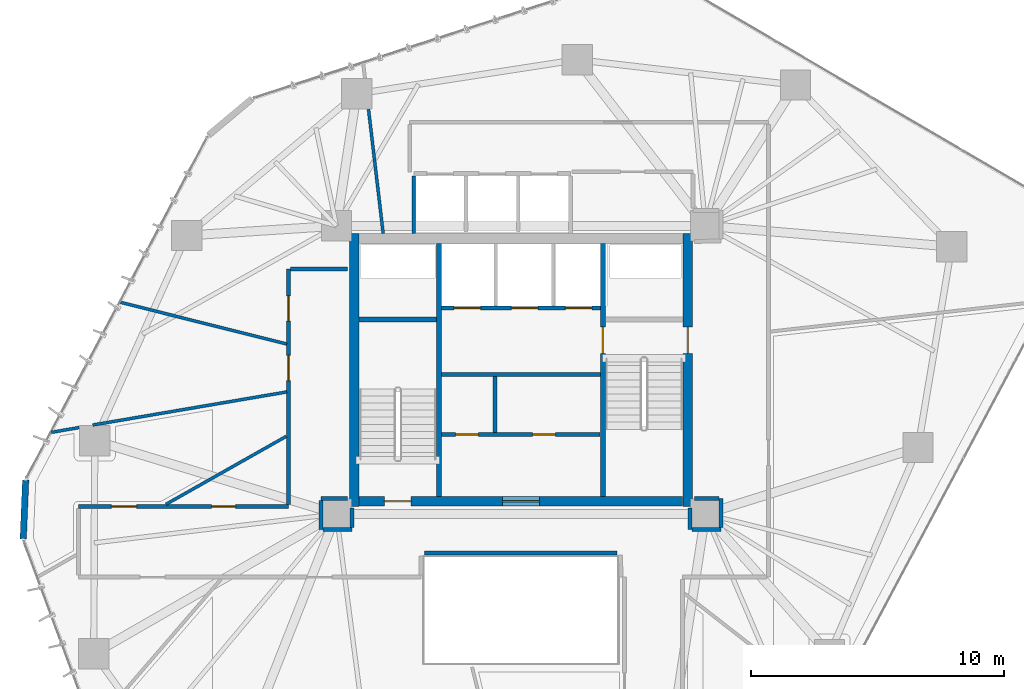
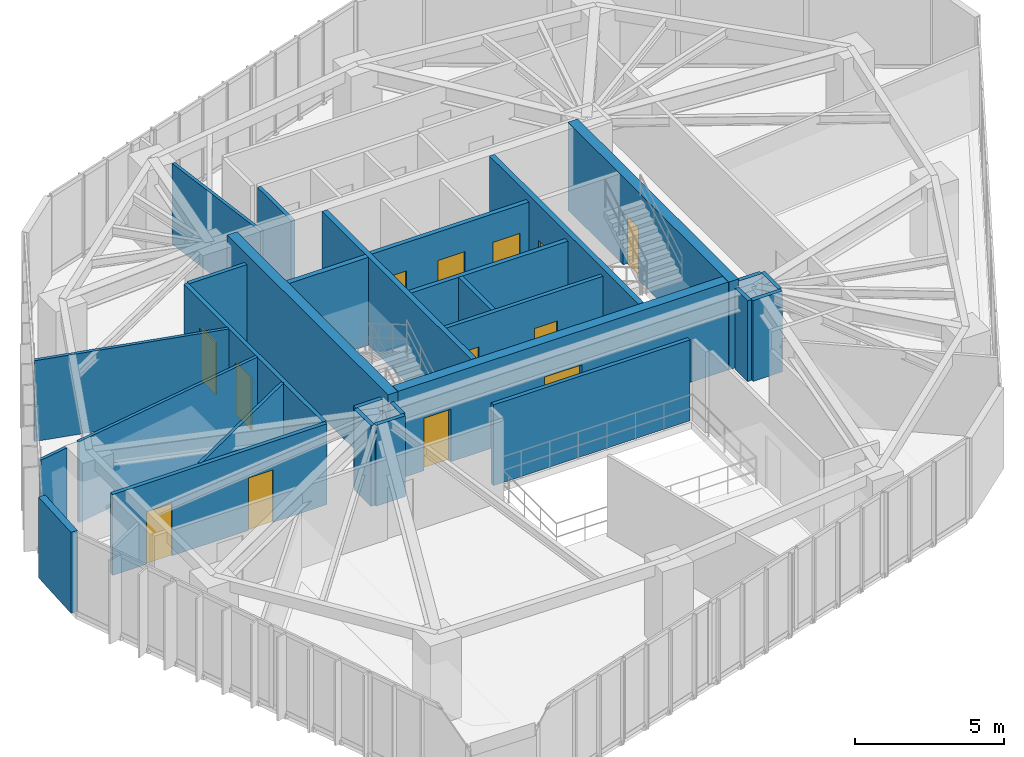
# One storey, part 16 of 21: 29 walls, 13 doors, 13 openings.
"""IFC4 building model written with IfcOpenShell, lengths in metres."""

from ifc_helpers import new_model, si_unit, direction, frame, frame_2d, origin, place, context, subcontext, project, spatial, rectangle, extrude, source, transform, mapped, material, layer, layer_set, type_object, type_shapes, element, fill, save


model = new_model("IFC4")

# Units and contexts
model_context = context("Model", 3, precision=1e-05, world=origin(), true_north=direction((0.0, 1.0)))
body_context = subcontext(model_context, "Body", "Model", "MODEL_VIEW")
ifc_project = project(units=[si_unit("LENGTHUNIT", "METRE"), si_unit("AREAUNIT", "SQUARE_METRE"), si_unit("VOLUMEUNIT", "CUBIC_METRE"), si_unit("PLANEANGLEUNIT", "RADIAN"), si_unit("MASSUNIT", "GRAM", prefix="KILO")], contexts=[model_context])

# Site, building, storey
site_placement = place(None, origin())
site = spatial("IfcSite", under=ifc_project, at=site_placement, CompositionType="ELEMENT")
building_placement = place(site_placement, origin())
building = spatial("IfcBuilding", under=site, at=building_placement, Name="Talar Marvaseh", CompositionType="ELEMENT")
storey_placement = place(building_placement, frame((0.0, 0.0, 143.39990234375)))
storey = spatial("IfcBuildingStorey", under=building, at=storey_placement, Name="L37", CompositionType="ELEMENT", Elevation=143.39990234375)

# Wall
ifc_material_1 = material(Name="Precast concrete C45/55", Category="concrete")
ifc_layer_1 = layer(ifc_material_1, 0.2548828125)
ifc_layer_set_1 = layer_set([ifc_layer_1], Name="Precast concrete C45/55")
wall_type_1 = type_object("IfcWallType", Name="Chamfered Hexagonal Corner Pier Wall Z2 255", PredefinedType="SOLIDWALL", material=ifc_layer_set_1)
wall_1_placement = place(storey_placement, frame((6.30859375, 24.509033203125, 0.0), z_axis=(0.0, 0.0, 1.0), x_axis=(0.041404963609, 0.999142446796, 0.0)))
element("IfcWall", 1, at=wall_1_placement, inside=storey, type_object=wall_type_1, Name="L37 Chamfered Corner Limestone Pier 2", PredefinedType="SOLIDWALL", context=body_context, shape_type="SweptSolid", body=[
    extrude(rectangle(XDim=2.3408203125, YDim=0.2548828125, at=frame_2d((1.17041015625, 0.0))), origin(), (0.0, 0.0, 1.0), 3.31005859375),
])

# Wall, openings, doors
ifc_material_2 = material(Name="Gypsum Board Partition Assembly")
ifc_layer_2 = layer(ifc_material_2, 0.155029296875)
ifc_layer_set_2 = layer_set([ifc_layer_2], Name="Gypsum Board Partition Assembly")
wall_type_2 = type_object("IfcWallType", Name="Corridor Fire-Rated Acoustic Partition 155", PredefinedType="PARTITIONING", material=ifc_layer_set_2)
wall_2_placement = place(storey_placement, frame((22.865966796875, 28.639892578125, 0.0), z_axis=(0.0, 0.0, 1.0), x_axis=(1.0, 0.0, 0.0)))
wall_2 = element("IfcWall", 2, at=wall_2_placement, inside=storey, type_object=wall_type_2, Name="L37 Core BOH Partition", PredefinedType="PARTITIONING", context=body_context, shape_type="SweptSolid", body=[
    extrude(rectangle(XDim=6.26806640625, YDim=0.155029296875, at=frame_2d((3.134033203125, 0.0))), origin(), (0.0, 0.0, 1.0), 3.31005859375),
])
opening_1_placement = place(wall_2_placement, frame((0.550048828125, 0.0, 0.0)))
opening_1 = element("IfcOpeningElement", 3, at=opening_1_placement, cuts=wall_2, Name="Opening DR-BOH090", PredefinedType="OPENING", context=body_context, shape_type="SweptSolid", body=[
    extrude(rectangle(XDim=0.89990234375, YDim=2.10009765625, at=frame_2d((0.449951171875, 1.050048828125))), frame((0.0, 0.08740234375, 0.0), z_axis=(0.0, -1.0, 0.0), x_axis=(1.0, 0.0, 0.0)), (0.0, 0.0, 1.0), 0.175048828125),
])
opening_2_placement = place(wall_2_placement, frame((3.60009765625, 0.0, 0.0)))
opening_2 = element("IfcOpeningElement", 4, at=opening_2_placement, cuts=wall_2, Name="Opening DR-BOH090", PredefinedType="OPENING", context=body_context, shape_type="SweptSolid", body=[
    extrude(rectangle(XDim=0.89990234375, YDim=2.10009765625, at=frame_2d((0.449951171875, 1.050048828125))), frame((0.0, 0.08740234375, 0.0), z_axis=(0.0, -1.0, 0.0), x_axis=(1.0, 0.0, 0.0)), (0.0, 0.0, 1.0), 0.175048828125),
])
ifc_material_3 = material(Name="Fire-Rated Steel Door Leaf", Category="steel")
door_type_1 = type_object("IfcDoorType", Name="Core Back-of-House Service Door 900x2100", OperationType="NOTDEFINED", PredefinedType="DOOR", material=ifc_material_3)
shared_shape_1 = source(origin(), body_context, "Body", "SweptSolid", [
    extrude(rectangle(XDim=0.89990234375, YDim=2.10009765625, at=frame_2d((0.449951171875, 1.050048828125))), frame((0.0, 0.02490234375, 0.0), z_axis=(0.0, -1.0, 0.0), x_axis=(1.0, 0.0, 0.0)), (0.0, 0.0, 1.0), 0.050048828125),
])
type_shapes(door_type_1, [shared_shape_1])
door_1_placement = place(opening_1_placement, origin())
door_1 = element("IfcDoor", 5, at=door_1_placement, inside=storey, type_object=door_type_1, Name="L37 Cleaner Janitor Store Door", OperationType="SINGLE_SWING_LEFT", OverallHeight=2.10009765625, OverallWidth=0.89990234375, PredefinedType="DOOR", context=body_context, shape_type="MappedRepresentation", body=[
    mapped(shared_shape_1, transform((0.0, 0.0, 0.0), x_axis=(1.0, 0.0, 0.0), y_axis=(0.0, 1.0, 0.0), z_axis=(0.0, 0.0, 1.0), scale=1.0)),
])
fill(opening_1, door_1)
door_2_placement = place(opening_2_placement, origin())
door_2 = element("IfcDoor", 6, at=door_2_placement, inside=storey, type_object=door_type_1, Name="L37 Plant Core Electrical Meter Room Door", OperationType="SINGLE_SWING_RIGHT", OverallHeight=2.10009765625, OverallWidth=0.89990234375, PredefinedType="DOOR", context=body_context, shape_type="MappedRepresentation", body=[
    mapped(shared_shape_1, transform((0.0, 0.0, 0.0), x_axis=(1.0, 0.0, 0.0), y_axis=(0.0, 1.0, 0.0), z_axis=(0.0, 0.0, 1.0), scale=1.0)),
])
fill(opening_2, door_2)

# Wall
wall_3_placement = place(storey_placement, frame((24.97998046875, 28.719970703125, 0.0), z_axis=(0.0, 0.0, 1.0), x_axis=(0.0, 1.0, 0.0)))
element("IfcWall", 7, at=wall_3_placement, inside=storey, type_object=wall_type_2, Name="L37 Core BOH Partition", PredefinedType="PARTITIONING", context=body_context, shape_type="SweptSolid", body=[
    extrude(rectangle(XDim=2.219970703125, YDim=0.155029296875, at=frame_2d((1.10986328125, 0.0))), origin(), (0.0, 0.0, 1.0), 3.31005859375),
])

# Wall, openings, doors
wall_4_placement = place(storey_placement, frame((8.5, 25.800048828125, 0.0), z_axis=(0.0, 0.0, 1.0), x_axis=(1.0, 0.0, 0.0)))
wall_4 = element("IfcWall", 8, at=wall_4_placement, inside=storey, type_object=wall_type_2, Name="L37 Interior Partition Wall", PredefinedType="PARTITIONING", context=body_context, shape_type="SweptSolid", body=[
    extrude(rectangle(XDim=8.300048828125, YDim=0.155029296875, at=frame_2d((4.14990234375, 0.0))), origin(), (0.0, 0.0, 1.0), 3.31005859375),
])
opening_3_placement = place(wall_4_placement, frame((1.2998046875, 0.0, 0.0)))
opening_3 = element("IfcOpeningElement", 9, at=opening_3_placement, cuts=wall_4, Name="Opening DR-RM100", PredefinedType="OPENING", context=body_context, shape_type="SweptSolid", body=[
    extrude(rectangle(XDim=1.0, YDim=2.14990234375, at=frame_2d((0.5, 1.074951171875))), frame((0.0, 0.08740234375, 0.0), z_axis=(0.0, -1.0, 0.0), x_axis=(1.0, 0.0, 0.0)), (0.0, 0.0, 1.0), 0.175048828125),
])
opening_4_placement = place(wall_4_placement, frame((5.262451171875, 0.0, 0.0)))
opening_4 = element("IfcOpeningElement", 10, at=opening_4_placement, cuts=wall_4, Name="Opening DR-WC095", PredefinedType="OPENING", context=body_context, shape_type="SweptSolid", body=[
    extrude(rectangle(XDim=0.949951171875, YDim=2.14990234375, at=frame_2d((0.47509765625, 1.074951171875))), frame((0.0, 0.08740234375, 0.0), z_axis=(0.0, -1.0, 0.0), x_axis=(1.0, 0.0, 0.0)), (0.0, 0.0, 1.0), 0.175048828125),
])
ifc_material_4 = material(Name="Acoustic Engineered Oak Timber", Category="wood")
door_type_2 = type_object("IfcDoorType", Name="Washroom and Service Room Door 950x2150", OperationType="NOTDEFINED", PredefinedType="DOOR", material=ifc_material_4)
shared_shape_2 = source(origin(), body_context, "Body", "SweptSolid", [
    extrude(rectangle(XDim=0.949951171875, YDim=2.14990234375, at=frame_2d((0.47509765625, 1.074951171875))), frame((0.0, 0.02490234375, 0.0), z_axis=(0.0, -1.0, 0.0), x_axis=(1.0, 0.0, 0.0)), (0.0, 0.0, 1.0), 0.050048828125),
])
type_shapes(door_type_2, [shared_shape_2])
door_3_placement = place(opening_4_placement, origin())
door_3 = element("IfcDoor", 11, at=door_3_placement, inside=storey, type_object=door_type_2, Name="L37 WC Public Washrooms Door", OperationType="SINGLE_SWING_LEFT", OverallHeight=2.14990234375, OverallWidth=0.949951171875, PredefinedType="DOOR", context=body_context, shape_type="MappedRepresentation", body=[
    mapped(shared_shape_2, transform((0.0, 0.0, 0.0), x_axis=(1.0, 0.0, 0.0), y_axis=(0.0, 1.0, 0.0), z_axis=(0.0, 0.0, 1.0), scale=1.0)),
])
fill(opening_4, door_3)
door_type_3 = type_object("IfcDoorType", Name="Corridor Fire-Rated Gallery Door 1000x2150", OperationType="NOTDEFINED", PredefinedType="DOOR", material=ifc_material_4)
shared_shape_3 = source(origin(), body_context, "Body", "SweptSolid", [
    extrude(rectangle(XDim=1.0, YDim=2.14990234375, at=frame_2d((0.5, 1.074951171875))), frame((0.0, 0.02490234375, 0.0), z_axis=(0.0, -1.0, 0.0), x_axis=(1.0, 0.0, 0.0)), (0.0, 0.0, 1.0), 0.050048828125),
])
type_shapes(door_type_3, [shared_shape_3])
door_4_placement = place(opening_3_placement, origin())
door_4 = element("IfcDoor", 12, at=door_4_placement, inside=storey, type_object=door_type_3, Name="L37 Curatorial Office Door", OperationType="SINGLE_SWING_RIGHT", OverallHeight=2.14990234375, OverallWidth=1.0, PredefinedType="DOOR", context=body_context, shape_type="MappedRepresentation", body=[
    mapped(shared_shape_3, transform((0.0, 0.0, 0.0), x_axis=(1.0, 0.0, 0.0), y_axis=(0.0, 1.0, 0.0), z_axis=(0.0, 0.0, 1.0), scale=1.0)),
])
fill(opening_3, door_4)

wall_5_placement = place(storey_placement, frame((16.800048828125, 25.883544921875, 0.0), z_axis=(0.0, 0.0, 1.0), x_axis=(0.0, 1.0, 0.0)))
wall_5 = element("IfcWall", 13, at=wall_5_placement, inside=storey, type_object=wall_type_2, Name="L37 Interior Partition Wall", PredefinedType="PARTITIONING", context=body_context, shape_type="SweptSolid", body=[
    extrude(rectangle(XDim=9.31640625, YDim=0.155029296875, at=frame_2d((4.658203125, 0.0))), origin(), (0.0, 0.0, 1.0), 3.31005859375),
])
opening_5_placement = place(wall_5_placement, frame((7.24951171875, 0.0, 0.0)))
opening_5 = element("IfcOpeningElement", 14, at=opening_5_placement, cuts=wall_5, Name="Opening DR-RM100", PredefinedType="OPENING", context=body_context, shape_type="SweptSolid", body=[
    extrude(rectangle(XDim=1.0, YDim=2.14990234375, at=frame_2d((0.5, 1.074951171875))), frame((0.0, 0.08740234375, 0.0), z_axis=(0.0, -1.0, 0.0), x_axis=(1.0, 0.0, 0.0)), (0.0, 0.0, 1.0), 0.175048828125),
])
opening_6_placement = place(wall_5_placement, frame((4.893310546875, 0.0, 0.0)))
opening_6 = element("IfcOpeningElement", 15, at=opening_6_placement, cuts=wall_5, Name="Opening DR-RM100", PredefinedType="OPENING", context=body_context, shape_type="SweptSolid", body=[
    extrude(rectangle(XDim=1.0, YDim=2.14990234375, at=frame_2d((0.5, 1.074951171875))), frame((0.0, 0.08740234375, 0.0), z_axis=(0.0, -1.0, 0.0), x_axis=(1.0, 0.0, 0.0)), (0.0, 0.0, 1.0), 0.175048828125),
])
door_5_placement = place(opening_5_placement, origin())
door_5 = element("IfcDoor", 16, at=door_5_placement, inside=storey, type_object=door_type_3, Name="L37 Digital Paleography Studio Door", OperationType="SINGLE_SWING_RIGHT", OverallHeight=2.14990234375, OverallWidth=1.0, PredefinedType="DOOR", context=body_context, shape_type="MappedRepresentation", body=[
    mapped(shared_shape_3, transform((0.0, 0.0, 0.0), x_axis=(1.0, 0.0, 0.0), y_axis=(0.0, 1.0, 0.0), z_axis=(0.0, 0.0, 1.0), scale=1.0)),
])
fill(opening_5, door_5)
door_6_placement = place(opening_6_placement, origin())
door_6 = element("IfcDoor", 17, at=door_6_placement, inside=storey, type_object=door_type_3, Name="L37 Quiet Research Study Door", OperationType="SINGLE_SWING_LEFT", OverallHeight=2.14990234375, OverallWidth=1.0, PredefinedType="DOOR", context=body_context, shape_type="MappedRepresentation", body=[
    mapped(shared_shape_3, transform((0.0, 0.0, 0.0), x_axis=(1.0, 0.0, 0.0), y_axis=(0.0, 1.0, 0.0), z_axis=(0.0, 0.0, 1.0), scale=1.0)),
])
fill(opening_6, door_6)

# Walls
wall_6_placement = place(storey_placement, frame((29.800048828125, 23.9599609375, 0.0), z_axis=(0.0, 0.0, 1.0), x_axis=(-0.999999995375, -9.617234e-05, 0.0)))
element("IfcWall", 18, at=wall_6_placement, inside=storey, type_object=wall_type_2, Name="L37 Interior Partition Wall", PredefinedType="PARTITIONING", context=body_context, shape_type="SweptSolid", body=[
    extrude(rectangle(XDim=7.61572265625, YDim=0.155029296875, at=frame_2d((3.807861328125, 0.0))), origin(), (0.0, 0.0, 1.0), 3.31005859375),
])
wall_7_placement = place(storey_placement, frame((16.883544921875, 35.199951171875, 0.0), z_axis=(0.0, 0.0, 1.0), x_axis=(1.0, 0.0, 0.0)))
element("IfcWall", 19, at=wall_7_placement, inside=storey, type_object=wall_type_2, Name="L37 Interior Partition Wall", PredefinedType="PARTITIONING", context=body_context, shape_type="SweptSolid", body=[
    extrude(rectangle(XDim=2.246337890625, YDim=0.155029296875, at=frame_2d((1.123046875, 0.0))), origin(), (0.0, 0.0, 1.0), 3.31005859375),
])
wall_8_placement = place(storey_placement, frame((19.1298828125, 26.114990234375, 0.0), z_axis=(0.0, 0.0, 1.0), x_axis=(-0.999986702653, -0.005156987215, 0.0)))
element("IfcWall", 20, at=wall_8_placement, inside=storey, type_object=wall_type_2, Name="L37 Interior Partition Wall", PredefinedType="PARTITIONING", context=body_context, shape_type="SweptSolid", body=[
    extrude(rectangle(XDim=1.04150390625, YDim=0.155029296875, at=frame_2d((0.520751953125, 0.0))), origin(), (0.0, 0.0, 1.0), 3.31005859375),
])
wall_9_placement = place(storey_placement, frame((18.088623046875, 26.02587890625, 0.0), z_axis=(0.0, 0.0, 1.0), x_axis=(0.002787893948, -0.999996113816, 0.0)))
element("IfcWall", 21, at=wall_9_placement, inside=storey, type_object=wall_type_2, Name="L37 Interior Partition Wall", PredefinedType="PARTITIONING", context=body_context, shape_type="SweptSolid", body=[
    extrude(rectangle(XDim=1.138427734375, YDim=0.155029296875, at=frame_2d((0.5693359375, 0.0))), origin(), (0.0, 0.0, 1.0), 3.31005859375),
])
wall_10_placement = place(storey_placement, frame((18.17529296875, 24.8876953125, 0.0), z_axis=(0.0, 0.0, 1.0), x_axis=(0.999999791525, 0.000645716611, 0.0)))
element("IfcWall", 22, at=wall_10_placement, inside=storey, type_object=wall_type_2, Name="L37 Interior Partition Wall", PredefinedType="PARTITIONING", context=body_context, shape_type="SweptSolid", body=[
    extrude(rectangle(XDim=1.13427734375, YDim=0.155029296875, at=frame_2d((0.567138671875, 0.0))), origin(), (0.0, 0.0, 1.0), 3.31005859375),
])
wall_11_placement = place(storey_placement, frame((19.31005859375, 24.971923828125, 0.0), z_axis=(0.0, 0.0, 1.0), x_axis=(0.006441090216, 0.999979255963, 0.0)))
element("IfcWall", 23, at=wall_11_placement, inside=storey, type_object=wall_type_2, Name="L37 Interior Partition Wall", PredefinedType="PARTITIONING", context=body_context, shape_type="SweptSolid", body=[
    extrude(rectangle(XDim=0.758056640625, YDim=0.155029296875, at=frame_2d((0.37890625, 0.0))), origin(), (0.0, 0.0, 1.0), 3.31005859375),
])
wall_12_placement = place(storey_placement, frame((32.68505859375, 25.72998046875, 0.0), z_axis=(0.0, 0.0, 1.0), x_axis=(0.006382231486, -0.999979633353, 0.0)))
element("IfcWall", 24, at=wall_12_placement, inside=storey, type_object=wall_type_2, Name="L37 Interior Partition Wall", PredefinedType="PARTITIONING", context=body_context, shape_type="SweptSolid", body=[
    extrude(rectangle(XDim=0.841552734375, YDim=0.155029296875, at=frame_2d((0.4208984375, 0.0))), origin(), (0.0, 0.0, 1.0), 3.31005859375),
])
wall_13_placement = place(storey_placement, frame((32.77392578125, 24.88818359375, 0.0), z_axis=(0.0, 0.0, 1.0), x_axis=(0.999999164303, -0.001292823742, 0.0)))
element("IfcWall", 25, at=wall_13_placement, inside=storey, type_object=wall_type_2, Name="L37 Interior Partition Wall", PredefinedType="PARTITIONING", context=body_context, shape_type="SweptSolid", body=[
    extrude(rectangle(XDim=1.133056640625, YDim=0.155029296875, at=frame_2d((0.56640625, 0.0))), origin(), (0.0, 0.0, 1.0), 3.31005859375),
])
wall_14_placement = place(storey_placement, frame((33.907470703125, 24.97021484375, 0.0), z_axis=(0.0, 0.0, 1.0), x_axis=(0.003642572792, 0.99999336581, 0.0)))
element("IfcWall", 26, at=wall_14_placement, inside=storey, type_object=wall_type_2, Name="L37 Interior Partition Wall", PredefinedType="PARTITIONING", context=body_context, shape_type="SweptSolid", body=[
    extrude(rectangle(XDim=1.139404296875, YDim=0.155029296875, at=frame_2d((0.56982421875, 0.0))), origin(), (0.0, 0.0, 1.0), 3.31005859375),
])
wall_15_placement = place(storey_placement, frame((33.828125, 26.110107421875, 0.0), z_axis=(0.0, 0.0, 1.0), x_axis=(-0.999987011364, 0.005096773758, 0.0)))
element("IfcWall", 27, at=wall_15_placement, inside=storey, type_object=wall_type_2, Name="L37 Interior Partition Wall", PredefinedType="PARTITIONING", context=body_context, shape_type="SweptSolid", body=[
    extrude(rectangle(XDim=0.9580078125, YDim=0.155029296875, at=frame_2d((0.47900390625, 0.0))), origin(), (0.0, 0.0, 1.0), 3.31005859375),
])
ifc_layer_3 = layer(ifc_material_2, 0.1201171875)
ifc_layer_set_3 = layer_set([ifc_layer_3], Name="Gypsum Board Partition Assembly")
wall_type_3 = type_object("IfcWallType", Name="Demountable Studio Room Partition 120", PredefinedType="PARTITIONING", material=ifc_layer_set_3)
wall_16_placement = place(storey_placement, frame((16.716552734375, 28.57275390625, 0.0), z_axis=(0.0, 0.0, 1.0), x_axis=(-0.870605260596, -0.491982195027, 0.0)))
element("IfcWall", 28, at=wall_16_placement, inside=storey, type_object=wall_type_3, Name="L37 Interior Partition Wall", PredefinedType="PARTITIONING", context=body_context, shape_type="SweptSolid", body=[
    extrude(rectangle(XDim=5.466064453125, YDim=0.1201171875, at=frame_2d((2.73291015625, 0.0))), origin(), (0.0, 0.0, 1.0), 3.31005859375),
])
wall_17_placement = place(storey_placement, frame((7.419189453125, 28.730224609375, 0.0), z_axis=(0.0, 0.0, 1.0), x_axis=(0.985475254375, 0.169819089077, 0.0)))
element("IfcWall", 29, at=wall_17_placement, inside=storey, type_object=wall_type_3, Name="L37 Interior Partition Wall", PredefinedType="PARTITIONING", context=body_context, shape_type="SweptSolid", body=[
    extrude(rectangle(XDim=1.116943359375, YDim=0.1201171875, at=frame_2d((0.55859375, 0.0))), origin(), (0.0, 0.0, 1.0), 3.31005859375),
])
wall_18_placement = place(storey_placement, frame((9.06005859375, 29.02001953125, 0.0), z_axis=(0.0, 0.0, 1.0), x_axis=(0.985766603633, 0.168119609691, 0.0)))
element("IfcWall", 30, at=wall_18_placement, inside=storey, type_object=wall_type_3, Name="L37 Interior Partition Wall", PredefinedType="PARTITIONING", context=body_context, shape_type="SweptSolid", body=[
    extrude(rectangle(XDim=7.78662109375, YDim=0.1201171875, at=frame_2d((3.893310546875, 0.0))), origin(), (0.0, 0.0, 1.0), 3.31005859375),
])
wall_19_placement = place(storey_placement, frame((20.550048828125, 36.60009765625, 0.0), z_axis=(0.0, 0.0, 1.0), x_axis=(-0.117328298106, 0.993093183172, 0.0)))
element("IfcWall", 31, at=wall_19_placement, inside=storey, type_object=wall_type_3, Name="L37 Interior Partition Wall", PredefinedType="PARTITIONING", context=body_context, shape_type="SweptSolid", body=[
    extrude(rectangle(XDim=4.944091796875, YDim=0.1201171875, at=frame_2d((2.47216796875, 0.0))), origin(), (0.0, 0.0, 1.0), 3.31005859375),
])
wall_20_placement = place(storey_placement, frame((16.73681640625, 32.225830078125, 0.0), z_axis=(0.0, 0.0, 1.0), x_axis=(-0.970057816704, 0.242874107823, 0.0)))
element("IfcWall", 32, at=wall_20_placement, inside=storey, type_object=wall_type_3, Name="L37 Interior Partition Wall", PredefinedType="PARTITIONING", context=body_context, shape_type="SweptSolid", body=[
    extrude(rectangle(XDim=6.788330078125, YDim=0.1201171875, at=frame_2d((3.39404296875, 0.0))), origin(), (0.0, 0.0, 1.0), 3.31005859375),
])
ifc_layer_4 = layer(ifc_material_1, 0.14501953125)
ifc_layer_set_4 = layer_set([ifc_layer_4], Name="Precast concrete C45/55")
wall_type_4 = type_object("IfcWallType", Name="Fire-Rated Lift Divider Wall 145", PredefinedType="SOLIDWALL", material=ifc_layer_set_4)
wall_21_placement = place(storey_placement, frame((21.760009765625, 36.60009765625, 0.0), z_axis=(0.0, 0.0, 1.0), x_axis=(0.0, 1.0, 0.0)))
element("IfcWall", 33, at=wall_21_placement, inside=storey, type_object=wall_type_4, Name="L37 Low-Rise Bank West Wall", PredefinedType="SOLIDWALL", context=body_context, shape_type="SweptSolid", body=[
    extrude(rectangle(XDim=2.266357421875, YDim=0.14501953125, at=frame_2d((1.13330078125, 0.0))), origin(), (0.0, 0.0, 1.0), 3.31005859375),
])

# Wall, openings, doors
ifc_layer_5 = layer(ifc_material_1, 0.175048828125)
ifc_layer_set_5 = layer_set([ifc_layer_5], Name="Precast concrete C45/55")
wall_type_5 = type_object("IfcWallType", Name="Fire-Rated Lift Hoistway Enclosure Wall 175", PredefinedType="SOLIDWALL", material=ifc_layer_set_5)
wall_22_placement = place(storey_placement, frame((22.860107421875, 33.64990234375, 0.0), z_axis=(0.0, 0.0, 1.0), x_axis=(1.0, 0.0, 0.0)))
wall_22 = element("IfcWall", 34, at=wall_22_placement, inside=storey, type_object=wall_type_5, Name="L37 Firefighting and Service Lift Front Wall", PredefinedType="SOLIDWALL", context=body_context, shape_type="SweptSolid", body=[
    extrude(rectangle(XDim=6.27978515625, YDim=0.175048828125, at=frame_2d((3.139892578125, 0.0))), origin(), (0.0, 0.0, 1.0), 3.31005859375),
])
opening_7_placement = place(wall_22_placement, frame((0.5, 0.0, 0.0)))
opening_7 = element("IfcOpeningElement", 35, at=opening_7_placement, cuts=wall_22, Name="Opening LD-FF1", PredefinedType="OPENING", context=body_context, shape_type="SweptSolid", body=[
    extrude(rectangle(XDim=1.050048828125, YDim=2.14990234375, at=frame_2d((0.52490234375, 1.074951171875))), frame((0.0, 0.09765625, 0.0), z_axis=(0.0, -1.0, 0.0), x_axis=(1.0, 0.0, 0.0)), (0.0, 0.0, 1.0), 0.195068359375),
])
opening_8_placement = place(wall_22_placement, frame((2.760009765625, 0.0, 0.0)))
opening_8 = element("IfcOpeningElement", 36, at=opening_8_placement, cuts=wall_22, Name="Opening LD-FF2", PredefinedType="OPENING", context=body_context, shape_type="SweptSolid", body=[
    extrude(rectangle(XDim=1.050048828125, YDim=2.14990234375, at=frame_2d((0.52490234375, 1.074951171875))), frame((0.0, 0.09765625, 0.0), z_axis=(0.0, -1.0, 0.0), x_axis=(1.0, 0.0, 0.0)), (0.0, 0.0, 1.0), 0.195068359375),
])
opening_9_placement = place(wall_22_placement, frame((4.89990234375, 0.0, 0.0)))
opening_9 = element("IfcOpeningElement", 37, at=opening_9_placement, cuts=wall_22, Name="Opening LD-SV1", PredefinedType="OPENING", context=body_context, shape_type="SweptSolid", body=[
    extrude(rectangle(XDim=1.050048828125, YDim=2.14990234375, at=frame_2d((0.52490234375, 1.074951171875))), frame((0.0, 0.09765625, 0.0), z_axis=(0.0, -1.0, 0.0), x_axis=(1.0, 0.0, 0.0)), (0.0, 0.0, 1.0), 0.195068359375),
])
ifc_material_5 = material(Name="Stainless Steel Grade 316", Category="steel")
door_type_4 = type_object("IfcDoorType", Name="Automatic Sliding Lift Landing Door 1050x2150", OperationType="NOTDEFINED", PredefinedType="DOOR", material=ifc_material_5)
shared_shape_4 = source(origin(), body_context, "Body", "SweptSolid", [
    extrude(rectangle(XDim=1.050048828125, YDim=2.14990234375, at=frame_2d((0.52490234375, 1.074951171875))), frame((0.0, 0.02490234375, 0.0), z_axis=(0.0, -1.0, 0.0), x_axis=(1.0, 0.0, 0.0)), (0.0, 0.0, 1.0), 0.050048828125),
])
type_shapes(door_type_4, [shared_shape_4])
door_7_placement = place(opening_7_placement, origin())
door_7 = element("IfcDoor", 38, at=door_7_placement, inside=storey, type_object=door_type_4, Name="L37 Lift FFL-1 Sliding Landing Door", OperationType="SLIDING_TO_LEFT", OverallHeight=2.14990234375, OverallWidth=1.050048828125, PredefinedType="DOOR", context=body_context, shape_type="MappedRepresentation", body=[
    mapped(shared_shape_4, transform((0.0, 0.0, 0.0), x_axis=(1.0, 0.0, 0.0), y_axis=(0.0, 1.0, 0.0), z_axis=(0.0, 0.0, 1.0), scale=1.0)),
])
fill(opening_7, door_7)
door_8_placement = place(opening_8_placement, origin())
door_8 = element("IfcDoor", 39, at=door_8_placement, inside=storey, type_object=door_type_4, Name="L37 Lift FFL-2 Sliding Landing Door", OperationType="SLIDING_TO_LEFT", OverallHeight=2.14990234375, OverallWidth=1.050048828125, PredefinedType="DOOR", context=body_context, shape_type="MappedRepresentation", body=[
    mapped(shared_shape_4, transform((0.0, 0.0, 0.0), x_axis=(1.0, 0.0, 0.0), y_axis=(0.0, 1.0, 0.0), z_axis=(0.0, 0.0, 1.0), scale=1.0)),
])
fill(opening_8, door_8)
door_9_placement = place(opening_9_placement, origin())
door_9 = element("IfcDoor", 40, at=door_9_placement, inside=storey, type_object=door_type_4, Name="L37 Lift SVL-1 Sliding Landing Door", OperationType="SLIDING_TO_LEFT", OverallHeight=2.14990234375, OverallWidth=1.050048828125, PredefinedType="DOOR", context=body_context, shape_type="MappedRepresentation", body=[
    mapped(shared_shape_4, transform((0.0, 0.0, 0.0), x_axis=(1.0, 0.0, 0.0), y_axis=(0.0, 1.0, 0.0), z_axis=(0.0, 0.0, 1.0), scale=1.0)),
])
fill(opening_9, door_9)

# Walls
wall_23_placement = place(storey_placement, frame((22.860107421875, 31.02001953125, 0.0), z_axis=(0.0, 0.0, 1.0), x_axis=(1.0, 0.0, 0.0)))
element("IfcWall", 41, at=wall_23_placement, inside=storey, type_object=wall_type_5, Name="L37 Firefighting Lobby South Smoke Wall", PredefinedType="SOLIDWALL", context=body_context, shape_type="SweptSolid", body=[
    extrude(rectangle(XDim=6.27978515625, YDim=0.175048828125, at=frame_2d((3.139892578125, 0.0))), origin(), (0.0, 0.0, 1.0), 3.31005859375),
])
ifc_material_6 = material(Name="Concrete C60/75", Category="concrete")
ifc_layer_6 = layer(ifc_material_6, 0.3798828125)
ifc_layer_set_6 = layer_set([ifc_layer_6], Name="Concrete C60/75")
wall_type_6 = type_object("IfcWallType", Name="Mid Core Reinforced Concrete Shear Wall 380", PredefinedType="SHEAR", material=ifc_layer_set_6)
wall_24_placement = place(storey_placement, frame((19.39990234375, 25.800048828125, 0.0), z_axis=(0.0, 0.0, 1.0), x_axis=(0.0, 1.0, 0.0)))
element("IfcWall", 42, at=wall_24_placement, inside=storey, type_object=wall_type_6, Name="L37 West Core Shear Wall", PredefinedType="SHEAR", context=body_context, shape_type="SweptSolid", body=[
    extrude(rectangle(XDim=10.800048828125, YDim=0.3798828125, at=frame_2d((5.39990234375, 0.0))), origin(), (0.0, 0.0, 1.0), 3.60009765625),
])

# Wall, opening, door
wall_25_placement = place(storey_placement, frame((32.60009765625, 36.60009765625, 0.0), z_axis=(0.0, 0.0, 1.0), x_axis=(0.0, -1.0, 0.0)))
wall_25 = element("IfcWall", 43, at=wall_25_placement, inside=storey, type_object=wall_type_6, Name="L37 East Core Shear Wall", PredefinedType="SHEAR", context=body_context, shape_type="SweptSolid", body=[
    extrude(rectangle(XDim=10.800048828125, YDim=0.3798828125, at=frame_2d((5.39990234375, 0.0))), origin(), (0.0, 0.0, 1.0), 3.60009765625),
])
opening_10_placement = place(wall_25_placement, frame((3.699951171875, 0.0, 0.0)))
opening_10 = element("IfcOpeningElement", 44, at=opening_10_placement, cuts=wall_25, Name="Opening DR-ST105", PredefinedType="OPENING", context=body_context, shape_type="SweptSolid", body=[
    extrude(rectangle(XDim=1.050048828125, YDim=2.14990234375, at=frame_2d((0.52490234375, 1.074951171875))), frame((0.0, 0.199951171875, 0.0), z_axis=(0.0, -1.0, 0.0), x_axis=(1.0, 0.0, 0.0)), (0.0, 0.0, 1.0), 0.39990234375),
])
door_type_5 = type_object("IfcDoorType", Name="Protected Exit Stair Fire Door 1050x2150", OperationType="NOTDEFINED", PredefinedType="DOOR", material=ifc_material_3)
shared_shape_5 = source(origin(), body_context, "Body", "SweptSolid", [
    extrude(rectangle(XDim=1.050048828125, YDim=2.14990234375, at=frame_2d((0.52490234375, 1.074951171875))), frame((0.0, 0.02490234375, 0.0), z_axis=(0.0, -1.0, 0.0), x_axis=(1.0, 0.0, 0.0)), (0.0, 0.0, 1.0), 0.050048828125),
])
type_shapes(door_type_5, [shared_shape_5])
door_10_placement = place(opening_10_placement, origin())
door_10 = element("IfcDoor", 45, at=door_10_placement, inside=storey, type_object=door_type_5, Name="L37 Stair ST-2 Corridor Exit Door", OperationType="SINGLE_SWING_LEFT", OverallHeight=2.14990234375, OverallWidth=1.050048828125, PredefinedType="DOOR", context=body_context, shape_type="MappedRepresentation", body=[
    mapped(shared_shape_5, transform((0.0, 0.0, 0.0), x_axis=(1.0, 0.0, 0.0), y_axis=(0.0, 1.0, 0.0), z_axis=(0.0, 0.0, 1.0), scale=1.0)),
])
fill(opening_10, door_10)

# Wall, openings, doors
wall_26_placement = place(storey_placement, frame((32.39990234375, 26.0, 0.0), z_axis=(0.0, 0.0, 1.0), x_axis=(-1.0, 0.0, 0.0)))
wall_26 = element("IfcWall", 46, at=wall_26_placement, inside=storey, type_object=wall_type_6, Name="L37 South Core Shear Wall", PredefinedType="SHEAR", context=body_context, shape_type="SweptSolid", body=[
    extrude(rectangle(XDim=12.7998046875, YDim=0.3798828125, at=frame_2d((6.39990234375, 0.0))), origin(), (0.0, 0.0, 1.0), 3.60009765625),
])
opening_11_placement = place(wall_26_placement, frame((10.75, 0.0, 0.0)))
opening_11 = element("IfcOpeningElement", 47, at=opening_11_placement, cuts=wall_26, Name="Opening DR-ST105", PredefinedType="OPENING", context=body_context, shape_type="SweptSolid", body=[
    extrude(rectangle(XDim=1.050048828125, YDim=2.14990234375, at=frame_2d((0.52490234375, 1.074951171875))), frame((0.0, 0.199951171875, 0.0), z_axis=(0.0, -1.0, 0.0), x_axis=(1.0, 0.0, 0.0)), (0.0, 0.0, 1.0), 0.39990234375),
])
opening_12_placement = place(wall_26_placement, frame((5.669921875, 0.0, 0.0)))
opening_12 = element("IfcOpeningElement", 48, at=opening_12_placement, cuts=wall_26, Name="Opening DR-LBY145", PredefinedType="OPENING", context=body_context, shape_type="SweptSolid", body=[
    extrude(rectangle(XDim=1.449951171875, YDim=2.199951171875, at=frame_2d((0.72509765625, 1.10009765625))), frame((0.0, 0.199951171875, 0.0), z_axis=(0.0, -1.0, 0.0), x_axis=(1.0, 0.0, 0.0)), (0.0, 0.0, 1.0), 0.39990234375),
])
door_11_placement = place(opening_11_placement, origin())
door_11 = element("IfcDoor", 49, at=door_11_placement, inside=storey, type_object=door_type_5, Name="L37 Stair ST-1 Exit Door", OperationType="SINGLE_SWING_RIGHT", OverallHeight=2.14990234375, OverallWidth=1.050048828125, PredefinedType="DOOR", context=body_context, shape_type="MappedRepresentation", body=[
    mapped(shared_shape_5, transform((0.0, 0.0, 0.0), x_axis=(1.0, 0.0, 0.0), y_axis=(0.0, 1.0, 0.0), z_axis=(0.0, 0.0, 1.0), scale=1.0)),
])
fill(opening_11, door_11)
door_type_6 = type_object("IfcDoorType", Name="Core Lift Lobby Double Smoke Door 1450x2200", OperationType="NOTDEFINED", PredefinedType="DOOR", material=ifc_material_3)
shared_shape_6 = source(origin(), body_context, "Body", "SweptSolid", [
    extrude(rectangle(XDim=1.449951171875, YDim=2.199951171875, at=frame_2d((0.72509765625, 1.10009765625))), frame((0.0, 0.02490234375, 0.0), z_axis=(0.0, -1.0, 0.0), x_axis=(1.0, 0.0, 0.0)), (0.0, 0.0, 1.0), 0.050048828125),
])
type_shapes(door_type_6, [shared_shape_6])
door_12_placement = place(opening_12_placement, origin())
door_12 = element("IfcDoor", 50, at=door_12_placement, inside=storey, type_object=door_type_6, Name="L37 Passenger Lift Lobby Entrance Door", OperationType="DOUBLE_DOOR_SINGLE_SWING", OverallHeight=2.199951171875, OverallWidth=1.449951171875, PredefinedType="DOOR", context=body_context, shape_type="MappedRepresentation", body=[
    mapped(shared_shape_6, transform((0.0, 0.0, 0.0), x_axis=(1.0, 0.0, 0.0), y_axis=(0.0, 1.0, 0.0), z_axis=(0.0, 0.0, 1.0), scale=1.0)),
])
fill(opening_12, door_12)

# Wall
ifc_material_7 = material(Name="Concrete C50/60", Category="concrete")
ifc_layer_7 = layer(ifc_material_7, 0.199951171875)
ifc_layer_set_7 = layer_set([ifc_layer_7], Name="Concrete C50/60")
wall_type_7 = type_object("IfcWallType", Name="Stair Shaft Structural Concrete Shear Wall 200", PredefinedType="SHEAR", material=ifc_layer_set_7)
wall_27_placement = place(storey_placement, frame((22.760009765625, 26.199951171875, 0.0), z_axis=(0.0, 0.0, 1.0), x_axis=(0.0, 1.0, 0.0)))
element("IfcWall", 51, at=wall_27_placement, inside=storey, type_object=wall_type_7, Name="L37 Core West Stair Shear Wall", PredefinedType="SHEAR", context=body_context, shape_type="SweptSolid", body=[
    extrude(rectangle(XDim=10.0, YDim=0.199951171875, at=frame_2d((5.0, 0.0))), origin(), (0.0, 0.0, 1.0), 3.60009765625),
])

# Wall, opening, door
wall_28_placement = place(storey_placement, frame((29.239990234375, 26.199951171875, 0.0), z_axis=(0.0, 0.0, 1.0), x_axis=(0.0, 1.0, 0.0)))
wall_28 = element("IfcWall", 52, at=wall_28_placement, inside=storey, type_object=wall_type_7, Name="L37 Core East Stair Shear Wall", PredefinedType="SHEAR", context=body_context, shape_type="SweptSolid", body=[
    extrude(rectangle(XDim=10.0, YDim=0.199951171875, at=frame_2d((5.0, 0.0))), origin(), (0.0, 0.0, 1.0), 3.60009765625),
])
opening_13_placement = place(wall_28_placement, frame((5.64990234375, 0.0, 0.0)))
opening_13 = element("IfcOpeningElement", 53, at=opening_13_placement, cuts=wall_28, Name="Opening DR-ST105", PredefinedType="OPENING", context=body_context, shape_type="SweptSolid", body=[
    extrude(rectangle(XDim=1.050048828125, YDim=2.14990234375, at=frame_2d((0.52490234375, 1.074951171875))), frame((0.0, 0.10986328125, 0.0), z_axis=(0.0, -1.0, 0.0), x_axis=(1.0, 0.0, 0.0)), (0.0, 0.0, 1.0), 0.219970703125),
])
door_13_placement = place(opening_13_placement, origin())
door_13 = element("IfcDoor", 54, at=door_13_placement, inside=storey, type_object=door_type_5, Name="L37 Firefighting Lobby to Stair ST-2 Door", OperationType="SINGLE_SWING_LEFT", OverallHeight=2.14990234375, OverallWidth=1.050048828125, PredefinedType="DOOR", context=body_context, shape_type="MappedRepresentation", body=[
    mapped(shared_shape_5, transform((0.0, 0.0, 0.0), x_axis=(1.0, 0.0, 0.0), y_axis=(0.0, 1.0, 0.0), z_axis=(0.0, 0.0, 1.0), scale=1.0)),
])
fill(opening_13, door_13)

# Wall
wall_29_placement = place(storey_placement, frame((19.60009765625, 33.199951171875, 0.0), z_axis=(0.0, 0.0, 1.0), x_axis=(1.0, 0.0, 0.0)))
element("IfcWall", 55, at=wall_29_placement, inside=storey, type_object=wall_type_7, Name="L37 Stair ST-1 North Shear Wall", PredefinedType="SHEAR", context=body_context, shape_type="SweptSolid", body=[
    extrude(rectangle(XDim=3.059814453125, YDim=0.199951171875, at=frame_2d((1.52978515625, 0.0))), origin(), (0.0, 0.0, 1.0), 3.60009765625),
])

save(model, "model.ifc")
